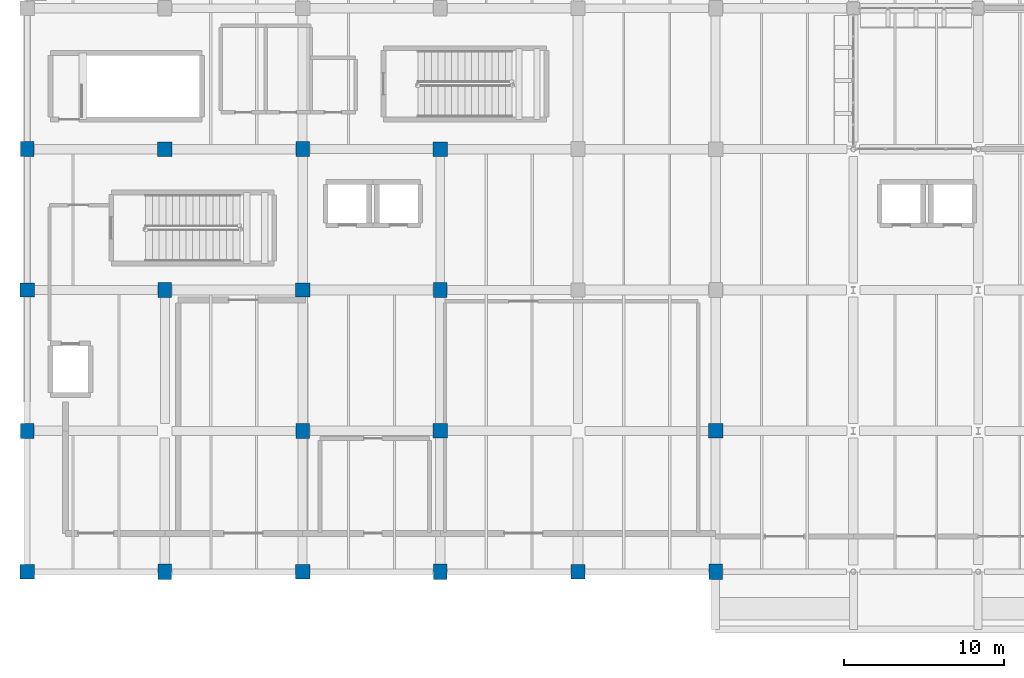
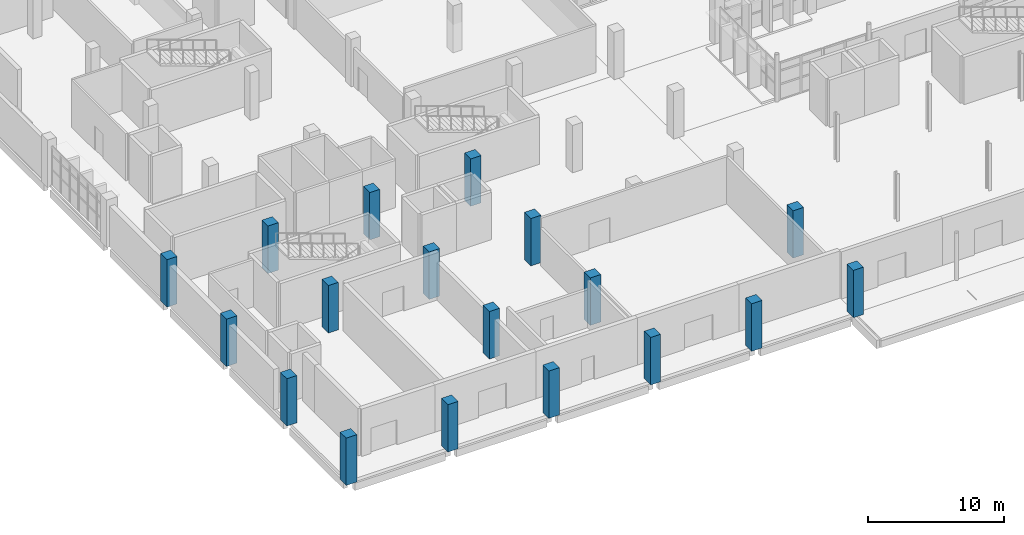
# One storey, part 1 of 76: 18 columns.
"""IFC4 building model written with IfcOpenShell, lengths in metres."""

from ifc_helpers import new_model, si_unit, direction, frame, origin, origin_2d, place, context, subcontext, project, spatial, rectangle, extrude, material, material_profile, profile_set, type_object, element, save


model = new_model("IFC4")

# Units and contexts
model_context = context("Model", 3, precision=1e-05, world=origin(), true_north=direction((0.0, 1.0)))
body_context = subcontext(model_context, "Body", "Model", "MODEL_VIEW")
ifc_project = project(units=[si_unit("LENGTHUNIT", "METRE"), si_unit("AREAUNIT", "SQUARE_METRE"), si_unit("VOLUMEUNIT", "CUBIC_METRE"), si_unit("PLANEANGLEUNIT", "RADIAN"), si_unit("MASSUNIT", "GRAM", prefix="KILO")], contexts=[model_context])

# Site, building, storey
site_placement = place(None, origin())
site = spatial("IfcSite", under=ifc_project, at=site_placement, CompositionType="ELEMENT")
building_placement = place(site_placement, origin())
building = spatial("IfcBuilding", under=site, at=building_placement, Name="Varnakota Cinema and Media Centre", CompositionType="ELEMENT")
storey_placement = place(building_placement, origin())
storey = spatial("IfcBuildingStorey", under=building, at=storey_placement, Name="L00", CompositionType="ELEMENT", Elevation=0.0)

# Columns
ifc_material_1 = material(Name="Concrete M50", Category="concrete")
ifc_material_profile_1 = material_profile(ifc_material_1, rectangle(XDim=0.85009765625, YDim=0.949951171875, at=origin_2d()), Name="RC 850x950")
ifc_profile_set_1 = profile_set([ifc_material_profile_1], Name="Concrete M50")
column_type_1 = type_object("IfcColumnType", Name="COL-RC-850x950", PredefinedType="COLUMN", material=ifc_profile_set_1)
for number, where, z_axis, x_axis, name in (
    (1, (0.0, 8.800048828125, 0.0), (0.0, 0.0, 1.0), (1.0, 0.0, 0.0), "L00 column A/2"),
    (2, (0.0, 26.39990234375, 0.0), (0.0, 0.0, 1.0), (1.0, 0.0, 0.0), "L00 column A/4"),
    (3, (8.60009765625, 0.0, 0.0), (0.0, 0.0, 1.0), (1.0, 0.0, 0.0), "L00 column B/1"),
    (4, (8.60009765625, 17.60009765625, 0.0), (0.0, 0.0, 1.0), (1.0, 0.0, 0.0), "L00 column B/3"),
    (5, (17.199951171875, 8.800048828125, 0.0), (0.0, 0.0, 1.0), (1.0, 0.0, 0.0), "L00 column C/2"),
    (6, (17.199951171875, 26.39990234375, 0.0), (0.0, 0.0, 1.0), (1.0, 0.0, 0.0), "L00 column C/4"),
    (7, (25.800048828125, 0.0, 0.0), (0.0, 0.0, 1.0), (1.0, 0.0, 0.0), "L00 column D/1"),
    (8, (25.800048828125, 17.60009765625, 0.0), (0.0, 0.0, 1.0), (1.0, 0.0, 0.0), "L00 column D/3"),
    (9, (43.0, 0.0, 0.0), (0.0, 0.0, 1.0), (1.0, 0.0, 0.0), "L00 column F/1"),
):
    element("IfcColumn", number, at=place(storey_placement, frame(where, z_axis=z_axis, x_axis=x_axis)), inside=storey, type_object=column_type_1, Name=name, PredefinedType="COLUMN", context=body_context, shape_type="SweptSolid", body=[
        extrude(rectangle(XDim=0.85009765625, YDim=0.949951171875, at=origin_2d()), origin(), (0.0, 0.0, 1.0), 4.25),
    ])
ifc_material_2 = material(Name="Concrete M50", Category="concrete")
ifc_material_profile_2 = material_profile(ifc_material_2, rectangle(XDim=0.89990234375, YDim=0.89990234375, at=origin_2d()), Name="RC 900x900")
ifc_profile_set_2 = profile_set([ifc_material_profile_2], Name="Concrete M50")
column_type_2 = type_object("IfcColumnType", Name="COL-RC-900x900", PredefinedType="COLUMN", material=ifc_profile_set_2)
for number, where, z_axis, x_axis, name in (
    (10, (0.0, 0.0, 0.0), (0.0, 0.0, 1.0), (1.0, 0.0, 0.0), "L00 column A/1"),
    (11, (0.0, 17.60009765625, 0.0), (0.0, 0.0, 1.0), (1.0, 0.0, 0.0), "L00 column A/3"),
    (12, (8.60009765625, 26.39990234375, 0.0), (0.0, 0.0, 1.0), (1.0, 0.0, 0.0), "L00 column B/4"),
    (13, (17.199951171875, 0.0, 0.0), (0.0, 0.0, 1.0), (1.0, 0.0, 0.0), "L00 column C/1"),
    (14, (17.199951171875, 17.60009765625, 0.0), (0.0, 0.0, 1.0), (1.0, 0.0, 0.0), "L00 column C/3"),
    (15, (25.800048828125, 8.800048828125, 0.0), (0.0, 0.0, 1.0), (1.0, 0.0, 0.0), "L00 column D/2"),
    (16, (25.800048828125, 26.39990234375, 0.0), (0.0, 0.0, 1.0), (1.0, 0.0, 0.0), "L00 column D/4"),
    (17, (34.39990234375, 0.0, 0.0), (0.0, 0.0, 1.0), (1.0, 0.0, 0.0), "L00 column E/1"),
    (18, (43.0, 8.800048828125, 0.0), (0.0, 0.0, 1.0), (1.0, 0.0, 0.0), "L00 column F/2"),
):
    element("IfcColumn", number, at=place(storey_placement, frame(where, z_axis=z_axis, x_axis=x_axis)), inside=storey, type_object=column_type_2, Name=name, PredefinedType="COLUMN", context=body_context, shape_type="SweptSolid", body=[
        extrude(rectangle(XDim=0.89990234375, YDim=0.89990234375, at=origin_2d()), origin(), (0.0, 0.0, 1.0), 4.25),
    ])

save(model, "model.ifc")
